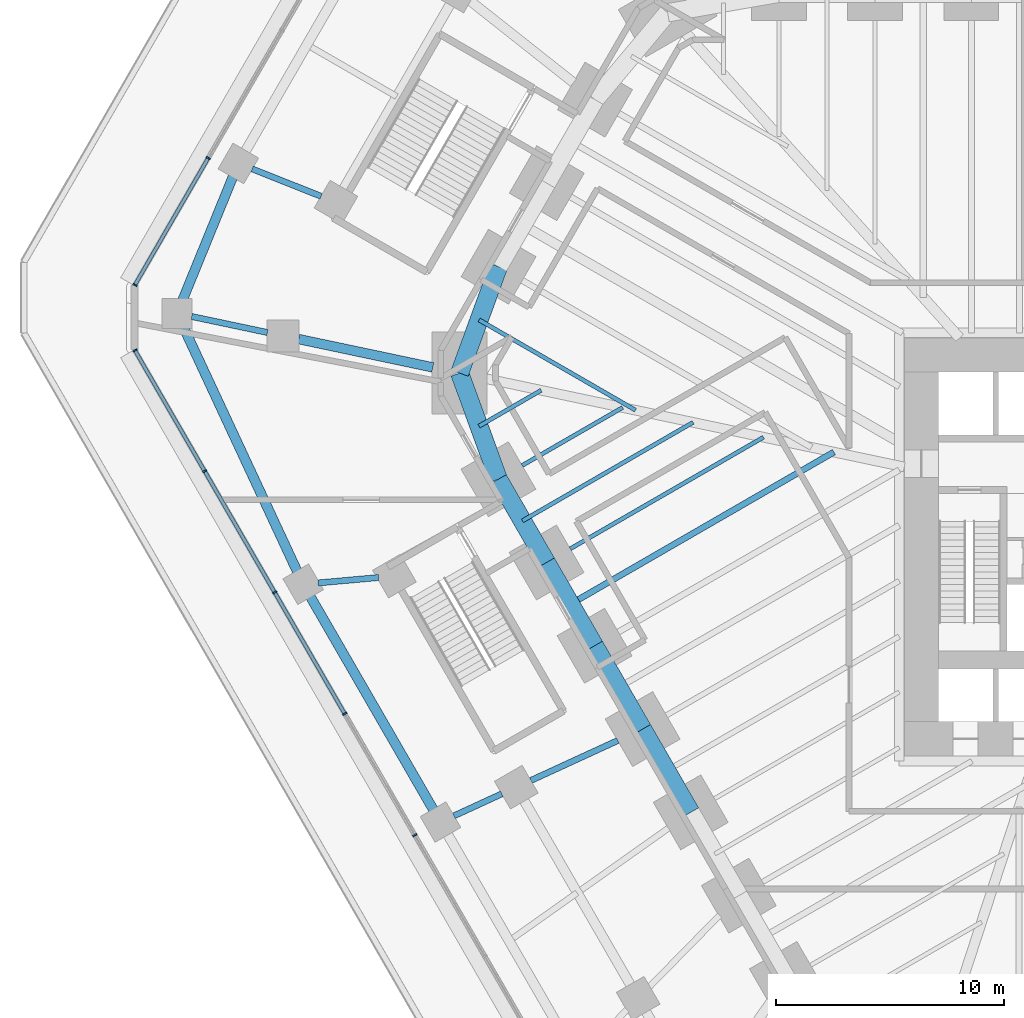
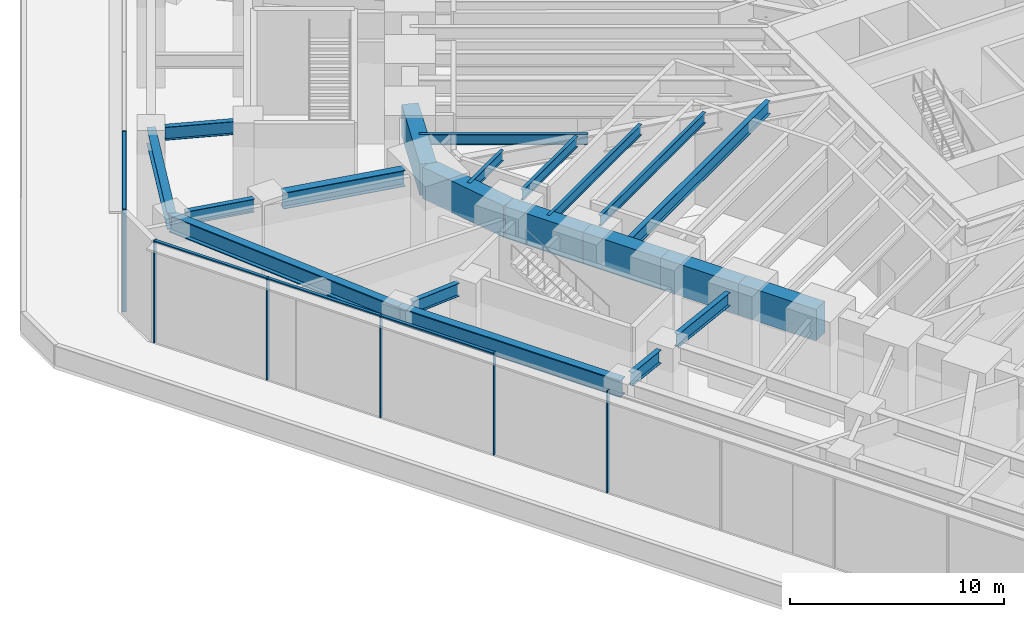
# One storey, part 5 of 25: 21 beams, 11 members, 2 elements without a shape of their own.
"""IFC4 building model written with IfcOpenShell, lengths in metres."""

from ifc_helpers import new_model, si_unit, direction, frame, origin, origin_2d, place, context, subcontext, project, spatial, rectangle, i_section, extrude, material, material_profile, profile_set, type_object, element, aggregate, save


model = new_model("IFC4")

# Units and contexts
model_context = context("Model", 3, precision=1e-05, world=origin(), true_north=direction((0.0, 1.0)))
body_context = subcontext(model_context, "Body", "Model", "MODEL_VIEW")
ifc_project = project(units=[si_unit("LENGTHUNIT", "METRE"), si_unit("AREAUNIT", "SQUARE_METRE"), si_unit("VOLUMEUNIT", "CUBIC_METRE"), si_unit("PLANEANGLEUNIT", "RADIAN"), si_unit("MASSUNIT", "GRAM", prefix="KILO")], contexts=[model_context])

# Site, building, storey
site_placement = place(None, origin())
site = spatial("IfcSite", under=ifc_project, at=site_placement, CompositionType="ELEMENT")
building_placement = place(site_placement, origin())
building = spatial("IfcBuilding", under=site, at=building_placement, Name="Sandreach Pilgrim Tower", CompositionType="ELEMENT")
storey_placement = place(building_placement, frame((0.0, 0.0, 6.0)))
storey = spatial("IfcBuildingStorey", under=building, at=storey_placement, Name="L01", CompositionType="ELEMENT", Elevation=6.0)

# Curtain wall, members
ifc_material_1 = material(Name="Aluminium framed curtain wall", Category="aluminium")
curtain_wall_type = type_object("IfcCurtainWallType", Name="Podium storefront curtain wall", PredefinedType="NOTDEFINED", material=ifc_material_1)
curtain_wall_1_placement = place(storey_placement, origin())
curtain_wall_1 = element("IfcCurtainWall", 1, at=curtain_wall_1_placement, inside=storey, type_object=curtain_wall_type, Name="CW-P L01 SW", PredefinedType="NOTDEFINED")
ifc_material_2 = material(Name="Aluminium extrusion", Category="aluminium")
ifc_material_profile_1 = material_profile(ifc_material_2, rectangle(XDim=0.070068359375, YDim=0.199951171875, at=origin_2d()), Name="CW-PM 70X200")
ifc_profile_set_1 = profile_set([ifc_material_profile_1], Name="Aluminium extrusion")
member_type_1 = type_object("IfcMemberType", Name="CW-P mullion", PredefinedType="MULLION", material=ifc_profile_set_1)
member_1_placement = place(storey_placement, frame((-30.674072265625, -14.167236328125, 0.0), z_axis=(0.0, 0.0, 1.0), x_axis=(-0.5, 0.866025403784, 0.0)))
member_1 = element("IfcMember", 2, at=member_1_placement, type_object=member_type_1, Name="CW-P mullion 6", PredefinedType="MULLION", context=body_context, shape_type="SweptSolid", body=[
    extrude(rectangle(XDim=0.070068359375, YDim=0.199951171875, at=origin_2d()), origin(), (0.0, 0.0, 1.0), 5.840087890625),
])
member_2_placement = place(storey_placement, frame((-33.741943359375, -8.853759765625, 0.0), z_axis=(0.0, 0.0, 1.0), x_axis=(-0.5, 0.866025403784, 0.0)))
member_2 = element("IfcMember", 3, at=member_2_placement, type_object=member_type_1, Name="CW-P mullion 7", PredefinedType="MULLION", context=body_context, shape_type="SweptSolid", body=[
    extrude(rectangle(XDim=0.070068359375, YDim=0.199951171875, at=origin_2d()), origin(), (0.0, 0.0, 1.0), 5.840087890625),
])
member_3_placement = place(storey_placement, frame((-36.809814453125, -3.5400390625, 0.0), z_axis=(0.0, 0.0, 1.0), x_axis=(-0.5, 0.866025403784, 0.0)))
member_3 = element("IfcMember", 4, at=member_3_placement, type_object=member_type_1, Name="CW-P mullion 8", PredefinedType="MULLION", context=body_context, shape_type="SweptSolid", body=[
    extrude(rectangle(XDim=0.070068359375, YDim=0.199951171875, at=origin_2d()), origin(), (0.0, 0.0, 1.0), 5.840087890625),
])
member_4_placement = place(storey_placement, frame((-39.87744140625, 1.7734375, 0.0), z_axis=(0.0, 0.0, 1.0), x_axis=(-0.5, 0.866025403784, 0.0)))
member_4 = element("IfcMember", 5, at=member_4_placement, type_object=member_type_1, Name="CW-P mullion 9", PredefinedType="MULLION", context=body_context, shape_type="SweptSolid", body=[
    extrude(rectangle(XDim=0.070068359375, YDim=0.199951171875, at=origin_2d()), origin(), (0.0, 0.0, 1.0), 5.840087890625),
])
member_5_placement = place(storey_placement, frame((-42.927734375, 7.056640625, 0.0), z_axis=(0.0, 0.0, 1.0), x_axis=(-0.5, 0.866025403784, 0.0)))
member_5 = element("IfcMember", 6, at=member_5_placement, type_object=member_type_1, Name="CW-P mullion 10", PredefinedType="MULLION", context=body_context, shape_type="SweptSolid", body=[
    extrude(rectangle(XDim=0.070068359375, YDim=0.199951171875, at=origin_2d()), origin(), (0.0, 0.0, 1.0), 5.840087890625),
])

curtain_wall_2_placement = place(storey_placement, origin())
curtain_wall_2 = element("IfcCurtainWall", 7, at=curtain_wall_2_placement, inside=storey, type_object=curtain_wall_type, Name="CW-P L01 NW", PredefinedType="NOTDEFINED")
member_6_placement = place(storey_placement, frame((-42.927734375, 9.91748046875, 0.0), z_axis=(0.0, 0.0, 1.0), x_axis=(0.5, 0.866025403784, 0.0)))
member_6 = element("IfcMember", 8, at=member_6_placement, type_object=member_type_1, Name="CW-P mullion 1", PredefinedType="MULLION", context=body_context, shape_type="SweptSolid", body=[
    extrude(rectangle(XDim=0.070068359375, YDim=0.199951171875, at=origin_2d()), origin(), (0.0, 0.0, 1.0), 5.840087890625),
])
member_7_placement = place(storey_placement, frame((-39.7177734375, 15.477294921875, 0.0), z_axis=(0.0, 0.0, 1.0), x_axis=(0.5, 0.866025403784, 0.0)))
member_7 = element("IfcMember", 9, at=member_7_placement, type_object=member_type_1, Name="CW-P mullion 2", PredefinedType="MULLION", context=body_context, shape_type="SweptSolid", body=[
    extrude(rectangle(XDim=0.070068359375, YDim=0.199951171875, at=origin_2d()), origin(), (0.0, 0.0, 1.0), 5.840087890625),
])

# Member
ifc_material_3 = material(Name="Aluminium extrusion", Category="aluminium")
ifc_material_profile_2 = material_profile(ifc_material_3, rectangle(XDim=0.159912109375, YDim=0.070068359375, at=origin_2d()), Name="CW-PT 160X70")
ifc_profile_set_2 = profile_set([ifc_material_profile_2], Name="Aluminium extrusion")
member_type_2 = type_object("IfcMemberType", Name="CW-P transom", PredefinedType="USERDEFINED", material=ifc_profile_set_2)
member_8_placement = place(storey_placement, frame((-33.75927734375, -8.823486328125, 5.804931640625), z_axis=(-0.500022085096, 0.866012652573, 0.0), x_axis=(-0.866012652573, -0.500022085096, 0.0)))
member_8 = element("IfcMember", 10, at=member_8_placement, type_object=member_type_2, Name="CW-P head transom 7", ObjectType="TRANSOM", PredefinedType="USERDEFINED", context=body_context, shape_type="SweptSolid", body=[
    extrude(rectangle(XDim=0.159912109375, YDim=0.070068359375, at=origin_2d()), origin(), (0.0, 0.0, 1.0), 6.065673828125),
])

member_9_placement = place(storey_placement, frame((-36.8271484375, -3.509765625, 5.804931640625), z_axis=(-0.500022085096, 0.866012652573, 0.0), x_axis=(-0.866012652573, -0.500022085096, 0.0)))
member_9 = element("IfcMember", 11, at=member_9_placement, type_object=member_type_2, Name="CW-P head transom 8", ObjectType="TRANSOM", PredefinedType="USERDEFINED", context=body_context, shape_type="SweptSolid", body=[
    extrude(rectangle(XDim=0.159912109375, YDim=0.070068359375, at=origin_2d()), origin(), (0.0, 0.0, 1.0), 6.065673828125),
])

member_10_placement = place(storey_placement, frame((-39.89501953125, 1.8037109375, 5.804931640625), z_axis=(-0.500009808318, 0.866019740875, 0.0), x_axis=(-0.866019740875, -0.500009808318, 0.0)))
member_10 = element("IfcMember", 12, at=member_10_placement, type_object=member_type_2, Name="CW-P head transom 9", ObjectType="TRANSOM", PredefinedType="USERDEFINED", context=body_context, shape_type="SweptSolid", body=[
    extrude(rectangle(XDim=0.159912109375, YDim=0.070068359375, at=origin_2d()), origin(), (0.0, 0.0, 1.0), 6.03076171875),
])

aggregate(curtain_wall_1, [member_1, member_2, member_3, member_4, member_5, member_8, member_9, member_10])

member_11_placement = place(storey_placement, frame((-42.910400390625, 9.94775390625, 5.804931640625), z_axis=(0.500005339912, 0.866022320763, 0.0), x_axis=(-0.866022320763, 0.500005339912, 0.0)))
member_11 = element("IfcMember", 13, at=member_11_placement, type_object=member_type_2, Name="CW-P head transom 1", ObjectType="TRANSOM", PredefinedType="USERDEFINED", context=body_context, shape_type="SweptSolid", body=[
    extrude(rectangle(XDim=0.159912109375, YDim=0.070068359375, at=origin_2d()), origin(), (0.0, 0.0, 1.0), 6.35009765625),
])

aggregate(curtain_wall_2, [member_6, member_7, member_11])

# Beams
ifc_material_4 = material(Name="Steel ASTM A992 Grade 50", Category="steel")
ifc_material_profile_3 = material_profile(ifc_material_4, i_section(OverallWidth=0.1787109375, OverallDepth=0.60205078125, WebThickness=0.010986328125, FlangeThickness=0.014892578125, at=origin_2d()), Name="W24X62")
ifc_profile_set_3 = profile_set([ifc_material_profile_3], Name="Steel ASTM A992 Grade 50")
beam_type_1 = type_object("IfcBeamType", Name="Floor beam W24X62", PredefinedType="BEAM", material=ifc_profile_set_3)
beam_1_placement = place(storey_placement, frame((-23.8720703125, -1.629638671875, 5.5390625), z_axis=(0.866025751498, 0.499999397742, 0.0), x_axis=(-0.499999397742, 0.866025751498, 0.0)))
element("IfcBeam", 14, at=beam_1_placement, inside=storey, type_object=beam_type_1, Name="BM L01 F33", PredefinedType="BEAM", context=body_context, shape_type="SweptSolid", body=[
    extrude(i_section(OverallWidth=0.1787109375, OverallDepth=0.60205078125, WebThickness=0.010986328125, FlangeThickness=0.014892578125, at=origin_2d()), origin(), (0.0, 0.0, 1.0), 9.767578125),
])
beam_2_placement = place(storey_placement, frame((-25.97705078125, 2.016357421875, 5.5390625), z_axis=(0.866027897259, 0.49999568115, 0.0), x_axis=(-0.49999568115, 0.866027897259, 0.0)))
element("IfcBeam", 15, at=beam_2_placement, inside=storey, type_object=beam_type_1, Name="BM L01 F34", PredefinedType="BEAM", context=body_context, shape_type="SweptSolid", body=[
    extrude(i_section(OverallWidth=0.1787109375, OverallDepth=0.60205078125, WebThickness=0.010986328125, FlangeThickness=0.014892578125, at=origin_2d()), origin(), (0.0, 0.0, 1.0), 5.0791015625),
])
beam_3_placement = place(storey_placement, frame((-25.9638671875, -0.40673828125, 5.5390625), z_axis=(0.866020100198, 0.500009185969, 0.0), x_axis=(-0.500009185969, 0.866020100198, 0.0)))
element("IfcBeam", 16, at=beam_3_placement, inside=storey, type_object=beam_type_1, Name="BM L01 FM33", PredefinedType="BEAM", context=body_context, shape_type="SweptSolid", body=[
    extrude(i_section(OverallWidth=0.1787109375, OverallDepth=0.60205078125, WebThickness=0.010986328125, FlangeThickness=0.014892578125, at=origin_2d()), origin(), (0.0, 0.0, 1.0), 8.623291015625),
])
beam_4_placement = place(storey_placement, frame((-27.864501953125, 3.7392578125, 5.5390625), z_axis=(0.866023718453, 0.500002919068, 0.0), x_axis=(-0.500002919068, 0.866023718453, 0.0)))
element("IfcBeam", 17, at=beam_4_placement, inside=storey, type_object=beam_type_1, Name="BM L01 FM34", PredefinedType="BEAM", context=body_context, shape_type="SweptSolid", body=[
    extrude(i_section(OverallWidth=0.1787109375, OverallDepth=0.60205078125, WebThickness=0.010986328125, FlangeThickness=0.014892578125, at=origin_2d()), origin(), (0.0, 0.0, 1.0), 3.1396484375),
])
beam_5_placement = place(storey_placement, frame((-27.861328125, 8.390380859375, 5.5390625), z_axis=(0.866028778003, -0.499994155636, 0.0), x_axis=(0.499994155636, 0.866028778003, 0.0)))
element("IfcBeam", 18, at=beam_5_placement, inside=storey, type_object=beam_type_1, Name="BM L01 FM35", PredefinedType="BEAM", context=body_context, shape_type="SweptSolid", body=[
    extrude(i_section(OverallWidth=0.1787109375, OverallDepth=0.60205078125, WebThickness=0.010986328125, FlangeThickness=0.014892578125, at=origin_2d()), origin(), (0.0, 0.0, 1.0), 7.90771484375),
])
ifc_material_5 = material(Name="Steel ASTM A992 Grade 50", Category="steel")
ifc_material_profile_4 = material_profile(ifc_material_5, i_section(OverallWidth=0.2666015625, OverallDepth=0.761962890625, WebThickness=0.014404296875, FlangeThickness=0.021484375, at=origin_2d()), Name="W30X116")
ifc_profile_set_4 = profile_set([ifc_material_profile_4], Name="Steel ASTM A992 Grade 50")
beam_type_2 = type_object("IfcBeamType", Name="Floor beam W30X116", PredefinedType="BEAM", material=ifc_profile_set_4)
beam_6_placement = place(storey_placement, frame((-23.85888671875, -4.052490234375, 5.458984375), z_axis=(0.866029213426, 0.499993401449, 0.0), x_axis=(-0.499993401449, 0.866029213426, 0.0)))
element("IfcBeam", 19, at=beam_6_placement, inside=storey, type_object=beam_type_2, Name="BM L01 FM32", PredefinedType="BEAM", context=body_context, shape_type="SweptSolid", body=[
    extrude(i_section(OverallWidth=0.2666015625, OverallDepth=0.761962890625, WebThickness=0.014404296875, FlangeThickness=0.021484375, at=origin_2d()), origin(), (0.0, 0.0, 1.0), 13.311767578125),
])
ifc_material_6 = material(Name="Steel ASTM A992 Grade 50", Category="steel")
ifc_material_profile_5 = material_profile(ifc_material_6, i_section(OverallWidth=0.2666015625, OverallDepth=0.7568359375, WebThickness=0.013916015625, FlangeThickness=0.019287109375, at=origin_2d()), Name="W30X108")
ifc_profile_set_5 = profile_set([ifc_material_profile_5], Name="Steel ASTM A992 Grade 50")
beam_type_3 = type_object("IfcBeamType", Name="Podium beam W30X108", PredefinedType="BEAM", material=ifc_profile_set_5)
beam_7_placement = place(storey_placement, frame((-21.791748046875, -10.02294921875, 5.46142578125), z_axis=(-0.908514796511, -0.417852682797, 0.0), x_axis=(0.417852682797, -0.908514796511, 0.0)))
element("IfcBeam", 20, at=beam_7_placement, inside=storey, type_object=beam_type_3, Name="BM L01 PR125-31", PredefinedType="BEAM", context=body_context, shape_type="SweptSolid", body=[
    extrude(i_section(OverallWidth=0.2666015625, OverallDepth=0.7568359375, WebThickness=0.013916015625, FlangeThickness=0.019287109375, at=origin_2d()), origin(), (0.0, 0.0, 1.0), 4.18798828125),
])
beam_8_placement = place(storey_placement, frame((-26.86865234375, -12.35791015625, 5.37158203125), z_axis=(-0.908498502067, -0.417888109119, 0.0), x_axis=(0.417888109119, -0.908498502067, 0.0)))
element("IfcBeam", 21, at=beam_8_placement, inside=storey, type_object=beam_type_3, Name="BM L01 PR140-31", PredefinedType="BEAM", context=body_context, shape_type="SweptSolid", body=[
    extrude(i_section(OverallWidth=0.2666015625, OverallDepth=0.7568359375, WebThickness=0.013916015625, FlangeThickness=0.019287109375, at=origin_2d()), origin(), (0.0, 0.0, 1.0), 2.302978515625),
])
beam_9_placement = place(storey_placement, frame((-32.2646484375, -2.8876953125, 5.37158203125), z_axis=(-0.996019388322, -0.089136850328, 0.0), x_axis=(0.089136850328, -0.996019388322, 0.0)))
element("IfcBeam", 22, at=beam_9_placement, inside=storey, type_object=beam_type_3, Name="BM L01 PR140-33", PredefinedType="BEAM", context=body_context, shape_type="SweptSolid", body=[
    extrude(i_section(OverallWidth=0.2666015625, OverallDepth=0.7568359375, WebThickness=0.013916015625, FlangeThickness=0.019287109375, at=origin_2d()), origin(), (0.0, 0.0, 1.0), 2.659423828125),
])
beam_10_placement = place(storey_placement, frame((-37.128173828125, 7.8388671875, 5.37158203125), z_axis=(-0.978431212045, 0.206572900681, 0.0), x_axis=(-0.206572900681, -0.978431212045, 0.0)))
element("IfcBeam", 23, at=beam_10_placement, inside=storey, type_object=beam_type_3, Name="BM L01 PR140-35", PredefinedType="BEAM", context=body_context, shape_type="SweptSolid", body=[
    extrude(i_section(OverallWidth=0.2666015625, OverallDepth=0.7568359375, WebThickness=0.013916015625, FlangeThickness=0.019287109375, at=origin_2d()), origin(), (0.0, 0.0, 1.0), 3.390869140625),
])
beam_11_placement = place(storey_placement, frame((-34.77978515625, 13.802001953125, 5.37158203125), z_axis=(-0.929469422861, 0.368899162327, 0.0), x_axis=(-0.368899162327, -0.929469422861, 0.0)))
element("IfcBeam", 24, at=beam_11_placement, inside=storey, type_object=beam_type_3, Name="BM L01 PR140-36", PredefinedType="BEAM", context=body_context, shape_type="SweptSolid", body=[
    extrude(i_section(OverallWidth=0.2666015625, OverallDepth=0.7568359375, WebThickness=0.013916015625, FlangeThickness=0.019287109375, at=origin_2d()), origin(), (0.0, 0.0, 1.0), 3.24560546875),
])
ifc_material_7 = material(Name="Steel ASTM A992 Grade 50", Category="steel")
ifc_material_profile_6 = material_profile(ifc_material_7, i_section(OverallWidth=0.419189453125, OverallDepth=0.927001953125, WebThickness=0.019287109375, FlangeThickness=0.031982421875, at=origin_2d()), Name="W36X231")
ifc_profile_set_6 = profile_set([ifc_material_profile_6], Name="Steel ASTM A992 Grade 50")
beam_type_4 = type_object("IfcBeamType", Name="Podium beam W36X231", PredefinedType="BEAM", material=ifc_profile_set_6)
beam_12_placement = place(storey_placement, frame((-29.88671875, 6.31005859375, 5.37646484375), z_axis=(-0.978427888688, 0.206588641113, 0.0), x_axis=(-0.206588641113, -0.978427888688, 0.0)))
element("IfcBeam", 25, at=beam_12_placement, inside=storey, type_object=beam_type_4, Name="BM L01 PR125-35", PredefinedType="BEAM", context=body_context, shape_type="SweptSolid", body=[
    extrude(i_section(OverallWidth=0.419189453125, OverallDepth=0.927001953125, WebThickness=0.019287109375, FlangeThickness=0.031982421875, at=origin_2d()), origin(), (0.0, 0.0, 1.0), 6.0009765625),
])
ifc_material_8 = material(Name="Steel ASTM A992 Grade 50", Category="steel")
ifc_material_profile_7 = material_profile(ifc_material_8, i_section(OverallWidth=0.419189453125, OverallDepth=0.927001953125, WebThickness=0.019287109375, FlangeThickness=0.031982421875, at=origin_2d()), Name="W36X231")
ifc_profile_set_7 = profile_set([ifc_material_profile_7], Name="Steel ASTM A992 Grade 50")
beam_type_5 = type_object("IfcBeamType", Name="Podium edge beam W36X231", PredefinedType="BEAM", material=ifc_profile_set_7)
beam_13_placement = place(storey_placement, frame((-41.081787109375, 8.673583984375, 5.286376953125), z_axis=(0.378093917768, 0.925767243613, 0.0), x_axis=(-0.925767243613, 0.378093917768, 0.0)))
element("IfcBeam", 26, at=beam_13_placement, inside=storey, type_object=beam_type_5, Name="BM L01 PE140-35", PredefinedType="BEAM", context=body_context, shape_type="SweptSolid", body=[
    extrude(i_section(OverallWidth=0.419189453125, OverallDepth=0.927001953125, WebThickness=0.019287109375, FlangeThickness=0.031982421875, at=origin_2d()), origin(), (0.0, 0.0, 1.0), 7.091796875),
])
ifc_material_9 = material(Name="Steel ASTM A992 Grade 50", Category="steel")
ifc_material_profile_8 = material_profile(ifc_material_9, i_section(OverallWidth=0.4267578125, OverallDepth=0.975341796875, WebThickness=0.031005859375, FlangeThickness=0.055908203125, at=origin_2d()), Name="W36X395")
ifc_profile_set_8 = profile_set([ifc_material_profile_8], Name="Steel ASTM A992 Grade 50")
beam_type_6 = type_object("IfcBeamType", Name="Podium edge beam W36X395", PredefinedType="BEAM", material=ifc_profile_set_8)
beam_14_placement = place(storey_placement, frame((-29.551513671875, -13.591796875, 5.26220703125), z_axis=(-0.499994992015, 0.866028295127, 0.0), x_axis=(-0.866028295127, -0.499994992015, 0.0)))
element("IfcBeam", 27, at=beam_14_placement, inside=storey, type_object=beam_type_6, Name="BM L01 PE140-31", PredefinedType="BEAM", context=body_context, shape_type="SweptSolid", body=[
    extrude(i_section(OverallWidth=0.4267578125, OverallDepth=0.975341796875, WebThickness=0.031005859375, FlangeThickness=0.055908203125, at=origin_2d()), origin(), (0.0, 0.0, 1.0), 12.01904296875),
])
beam_15_placement = place(storey_placement, frame((-35.56103515625, -3.182861328125, 5.26220703125), z_axis=(-0.422115812002, 0.90654191368, 0.0), x_axis=(-0.90654191368, -0.422115812002, 0.0)))
element("IfcBeam", 28, at=beam_15_placement, inside=storey, type_object=beam_type_6, Name="BM L01 PE140-33", PredefinedType="BEAM", context=body_context, shape_type="SweptSolid", body=[
    extrude(i_section(OverallWidth=0.4267578125, OverallDepth=0.975341796875, WebThickness=0.031005859375, FlangeThickness=0.055908203125, at=origin_2d()), origin(), (0.0, 0.0, 1.0), 13.078857421875),
])
ifc_material_10 = material(Name="Concrete 10000 psi", Category="concrete")
ifc_material_profile_9 = material_profile(ifc_material_10, rectangle(XDim=0.800048828125, YDim=1.800048828125, at=origin_2d()), Name="RC800X1800")
ifc_profile_set_9 = profile_set([ifc_material_profile_9], Name="Concrete 10000 psi")
beam_type_7 = type_object("IfcBeamType", Name="Spandrel beam RC800X1800", PredefinedType="SPANDREL", material=ifc_profile_set_9)
beam_16_placement = place(storey_placement, frame((-18.596435546875, -13.167236328125, 4.93994140625), z_axis=(-0.50001863446, 0.866014644907, 0.0), x_axis=(-0.866014644907, -0.50001863446, 0.0)))
element("IfcBeam", 29, at=beam_16_placement, inside=storey, type_object=beam_type_7, Name="BM L01 SP30", PredefinedType="SPANDREL", context=body_context, shape_type="SweptSolid", body=[
    extrude(rectangle(XDim=0.800048828125, YDim=1.800048828125, at=origin_2d()), origin(), (0.0, 0.0, 1.0), 4.209716796875),
])
beam_17_placement = place(storey_placement, frame((-20.701416015625, -9.521484375, 4.93994140625), z_axis=(-0.499993523031, 0.866029143232, 0.0), x_axis=(-0.866029143232, -0.499993523031, 0.0)))
element("IfcBeam", 30, at=beam_17_placement, inside=storey, type_object=beam_type_7, Name="BM L01 SP31", PredefinedType="SPANDREL", context=body_context, shape_type="SweptSolid", body=[
    extrude(rectangle(XDim=0.800048828125, YDim=1.800048828125, at=origin_2d()), origin(), (0.0, 0.0, 1.0), 4.2099609375),
])
beam_18_placement = place(storey_placement, frame((-22.806396484375, -5.87548828125, 4.93994140625), z_axis=(-0.50001863446, 0.866014644907, 0.0), x_axis=(-0.866014644907, -0.50001863446, 0.0)))
element("IfcBeam", 31, at=beam_18_placement, inside=storey, type_object=beam_type_7, Name="BM L01 SP32", PredefinedType="SPANDREL", context=body_context, shape_type="SweptSolid", body=[
    extrude(rectangle(XDim=0.800048828125, YDim=1.800048828125, at=origin_2d()), origin(), (0.0, 0.0, 1.0), 4.209716796875),
])
beam_19_placement = place(storey_placement, frame((-24.911376953125, -2.229736328125, 4.93994140625), z_axis=(-0.499993523031, 0.866029143232, 0.0), x_axis=(-0.866029143232, -0.499993523031, 0.0)))
element("IfcBeam", 32, at=beam_19_placement, inside=storey, type_object=beam_type_7, Name="BM L01 SP33", PredefinedType="SPANDREL", context=body_context, shape_type="SweptSolid", body=[
    extrude(rectangle(XDim=0.800048828125, YDim=1.800048828125, at=origin_2d()), origin(), (0.0, 0.0, 1.0), 4.2099609375),
])
beam_20_placement = place(storey_placement, frame((-27.016357421875, 1.416259765625, 4.93994140625), z_axis=(-0.342963480301, 0.939348737786, 0.0), x_axis=(-0.939348737786, -0.342963480301, 0.0)))
element("IfcBeam", 33, at=beam_20_placement, inside=storey, type_object=beam_type_7, Name="BM L01 SP34", PredefinedType="SPANDREL", context=body_context, shape_type="SweptSolid", body=[
    extrude(rectangle(XDim=0.800048828125, YDim=1.800048828125, at=origin_2d()), origin(), (0.0, 0.0, 1.0), 4.946044921875),
])
beam_21_placement = place(storey_placement, frame((-28.712646484375, 6.062255859375, 4.93994140625), z_axis=(0.343367552823, 0.939201109278, 0.0), x_axis=(-0.939201109278, 0.343367552823, 0.0)))
element("IfcBeam", 34, at=beam_21_placement, inside=storey, type_object=beam_type_7, Name="BM L01 SP35", PredefinedType="SPANDREL", context=body_context, shape_type="SweptSolid", body=[
    extrude(rectangle(XDim=0.800048828125, YDim=1.800048828125, at=origin_2d()), origin(), (0.0, 0.0, 1.0), 4.9580078125),
])

save(model, "model.ifc")
